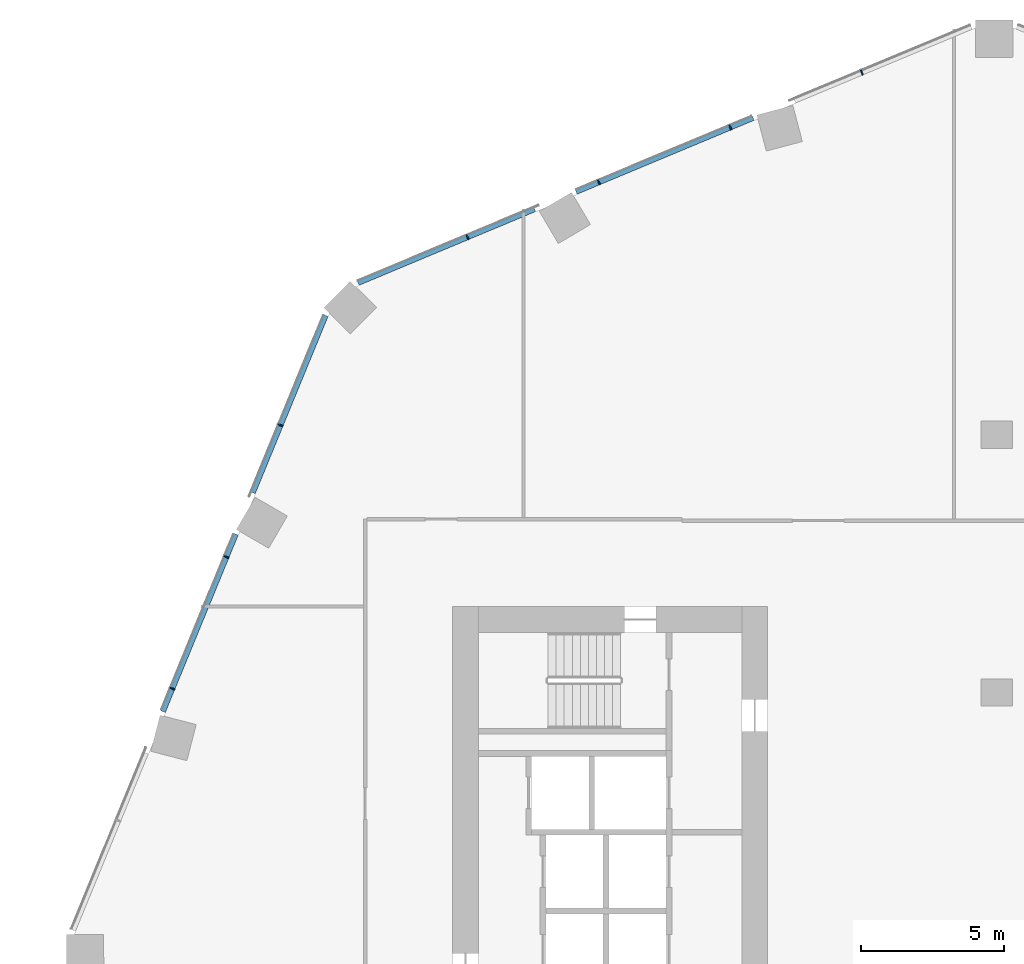
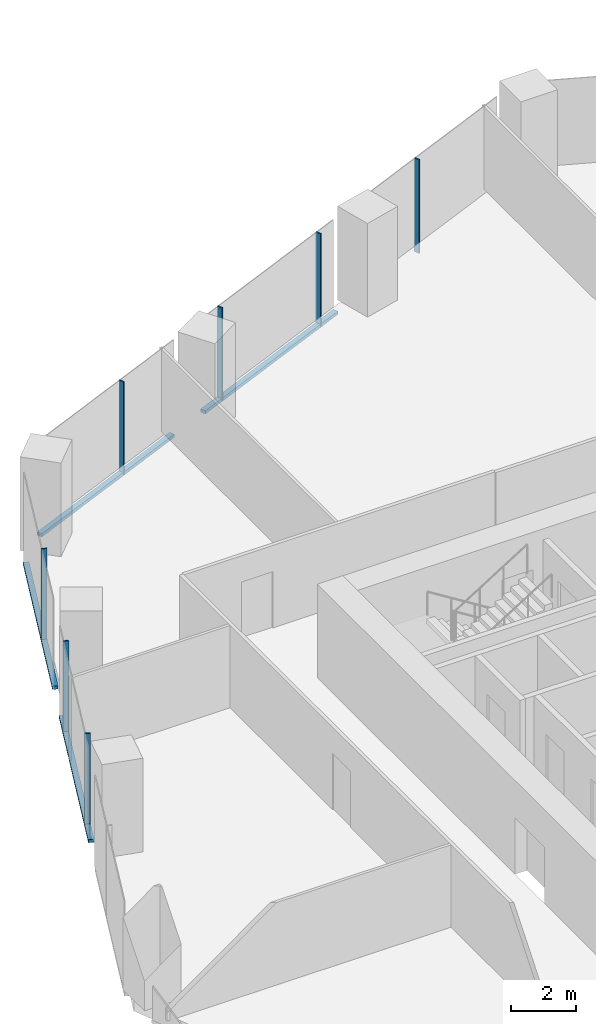
# One storey, part 12 of 34: 11 members, 2 elements without a shape of their own.
"""IFC4 building model written with IfcOpenShell, lengths in metres."""

from ifc_helpers import new_model, si_unit, direction, frame, origin, origin_2d, place, context, subcontext, project, spatial, rectangle, extrude, material, material_profile, profile_set, type_object, element, aggregate, save


model = new_model("IFC4")

# Units and contexts
model_context = context("Model", 3, precision=1e-05, world=origin(), true_north=direction((0.0, 1.0)))
body_context = subcontext(model_context, "Body", "Model", "MODEL_VIEW")
ifc_project = project(units=[si_unit("LENGTHUNIT", "METRE"), si_unit("AREAUNIT", "SQUARE_METRE"), si_unit("VOLUMEUNIT", "CUBIC_METRE"), si_unit("PLANEANGLEUNIT", "RADIAN"), si_unit("MASSUNIT", "GRAM", prefix="KILO")], contexts=[model_context])

# Site, building, storey
site_placement = place(None, origin())
site = spatial("IfcSite", under=ifc_project, at=site_placement, CompositionType="ELEMENT")
building_placement = place(site_placement, origin())
building = spatial("IfcBuilding", under=site, at=building_placement, Name="Orlundy Tower", CompositionType="ELEMENT")
storey_placement = place(building_placement, frame((0.0, 0.0, 105.699951171875)))
storey = spatial("IfcBuildingStorey", under=building, at=storey_placement, Name="L26", CompositionType="ELEMENT", Elevation=105.699951171875)

# Curtain wall, members
ifc_material_1 = material(Name="Aluminium bronze anodised", Category="aluminium")
curtain_wall_type = type_object("IfcCurtainWallType", Name="CW1 wall", PredefinedType="NOTDEFINED", material=ifc_material_1)
curtain_wall_1_placement = place(storey_placement, origin())
curtain_wall_1 = element("IfcCurtainWall", 1, at=curtain_wall_1_placement, inside=storey, type_object=curtain_wall_type, Name="CW1 run 014", PredefinedType="NOTDEFINED")
ifc_material_2 = material(Name="Aluminium bronze anodised", Category="aluminium")
ifc_material_profile_1 = material_profile(ifc_material_2, rectangle(XDim=0.179931640625, YDim=0.050048828125, at=origin_2d()), Name="CW1 mullion 50x180")
ifc_profile_set_1 = profile_set([ifc_material_profile_1], Name="Aluminium bronze anodised")
member_type_1 = type_object("IfcMemberType", Name="CW1 mullion 50x180", PredefinedType="MULLION", material=ifc_profile_set_1)
member_1_placement = place(storey_placement, frame((-28.777587890625, 9.135498046875, -0.39990234375), z_axis=(0.0, 0.0, 1.0), x_axis=(-0.924984462277, 0.380004927003, 0.0)))
member_1 = element("IfcMember", 2, at=member_1_placement, type_object=member_type_1, Name="CW1 mullion 36", PredefinedType="MULLION", context=body_context, shape_type="SweptSolid", body=[
    extrude(rectangle(XDim=0.179931640625, YDim=0.050048828125, at=origin_2d()), origin(), (0.0, 0.0, 1.0), 3.5),
])
member_2_placement = place(storey_placement, frame((-26.888916015625, 13.73291015625, -0.39990234375), z_axis=(0.0, 0.0, 1.0), x_axis=(-0.924984462277, 0.380004927003, 0.0)))
member_2 = element("IfcMember", 3, at=member_2_placement, type_object=member_type_1, Name="CW1 mullion 37", PredefinedType="MULLION", context=body_context, shape_type="SweptSolid", body=[
    extrude(rectangle(XDim=0.179931640625, YDim=0.050048828125, at=origin_2d()), origin(), (0.0, 0.0, 1.0), 3.5),
])
member_3_placement = place(storey_placement, frame((-25.0, 18.33056640625, -0.39990234375), z_axis=(0.0, 0.0, 1.0), x_axis=(-0.924984462277, 0.380004927003, 0.0)))
member_3 = element("IfcMember", 4, at=member_3_placement, type_object=member_type_1, Name="CW1 mullion 38", PredefinedType="MULLION", context=body_context, shape_type="SweptSolid", body=[
    extrude(rectangle(XDim=0.179931640625, YDim=0.050048828125, at=origin_2d()), origin(), (0.0, 0.0, 1.0), 3.5),
])

curtain_wall_2_placement = place(storey_placement, origin())
curtain_wall_2 = element("IfcCurtainWall", 5, at=curtain_wall_2_placement, inside=storey, type_object=curtain_wall_type, Name="CW1 run 015", PredefinedType="NOTDEFINED")
member_4_placement = place(storey_placement, frame((-18.475830078125, 24.892578125, -0.39990234375), z_axis=(0.0, 0.0, 1.0), x_axis=(-0.385375204433, 0.922759964351, 0.0)))
member_4 = element("IfcMember", 6, at=member_4_placement, type_object=member_type_1, Name="CW1 mullion 40", PredefinedType="MULLION", context=body_context, shape_type="SweptSolid", body=[
    extrude(rectangle(XDim=0.179931640625, YDim=0.050048828125, at=origin_2d()), origin(), (0.0, 0.0, 1.0), 3.5),
])
member_5_placement = place(storey_placement, frame((-13.88916015625, 26.808349609375, -0.39990234375), z_axis=(0.0, 0.0, 1.0), x_axis=(-0.385375204433, 0.922759964351, 0.0)))
member_5 = element("IfcMember", 7, at=member_5_placement, type_object=member_type_1, Name="CW1 mullion 41", PredefinedType="MULLION", context=body_context, shape_type="SweptSolid", body=[
    extrude(rectangle(XDim=0.179931640625, YDim=0.050048828125, at=origin_2d()), origin(), (0.0, 0.0, 1.0), 3.5),
])
member_6_placement = place(storey_placement, frame((-9.30224609375, 28.723876953125, -0.39990234375), z_axis=(0.0, 0.0, 1.0), x_axis=(-0.385375204433, 0.922759964351, 0.0)))
member_6 = element("IfcMember", 8, at=member_6_placement, type_object=member_type_1, Name="CW1 mullion 42", PredefinedType="MULLION", context=body_context, shape_type="SweptSolid", body=[
    extrude(rectangle(XDim=0.179931640625, YDim=0.050048828125, at=origin_2d()), origin(), (0.0, 0.0, 1.0), 3.5),
])
member_7_placement = place(storey_placement, frame((-4.715576171875, 30.639404296875, -0.39990234375), z_axis=(0.0, 0.0, 1.0), x_axis=(-0.385375204433, 0.922759964351, 0.0)))
member_7 = element("IfcMember", 9, at=member_7_placement, type_object=member_type_1, Name="CW1 mullion 43", PredefinedType="MULLION", context=body_context, shape_type="SweptSolid", body=[
    extrude(rectangle(XDim=0.179931640625, YDim=0.050048828125, at=origin_2d()), origin(), (0.0, 0.0, 1.0), 3.5),
])

# Member
ifc_material_3 = material(Name="Aluminium bronze anodised", Category="aluminium")
ifc_material_profile_2 = material_profile(ifc_material_3, rectangle(XDim=0.179931640625, YDim=0.1201171875, at=origin_2d()), Name="CW1 transom 180x120")
ifc_profile_set_2 = profile_set([ifc_material_profile_2], Name="Aluminium bronze anodised")
member_type_2 = type_object("IfcMemberType", Name="CW1 transom 180x120", PredefinedType="USERDEFINED", material=ifc_profile_set_2)
member_8_placement = place(storey_placement, frame((-29.105224609375, 8.338134765625, -0.33984375), z_axis=(0.380001321927, 0.924985943317, 0.0), x_axis=(-0.924985943317, 0.380001321927, 0.0)))
member_8 = element("IfcMember", 10, at=member_8_placement, type_object=member_type_2, Name="CW1 transom", ObjectType="TRANSOM", PredefinedType="USERDEFINED", context=body_context, shape_type="SweptSolid", body=[
    extrude(rectangle(XDim=0.179931640625, YDim=0.1201171875, at=origin_2d()), origin(), (0.0, 0.0, 1.0), 6.694580078125),
])

member_9_placement = place(storey_placement, frame((-25.9677734375, 15.974853515625, -0.33984375), z_axis=(0.380002508853, 0.924985455705, 0.0), x_axis=(-0.924985455705, 0.380002508853, 0.0)))
member_9 = element("IfcMember", 11, at=member_9_placement, type_object=member_type_2, Name="CW1 transom", ObjectType="TRANSOM", PredefinedType="USERDEFINED", context=body_context, shape_type="SweptSolid", body=[
    extrude(rectangle(XDim=0.179931640625, YDim=0.1201171875, at=origin_2d()), origin(), (0.0, 0.0, 1.0), 6.688720703125),
])

aggregate(curtain_wall_1, [member_1, member_2, member_3, member_8, member_9])

member_10_placement = place(storey_placement, frame((-22.2978515625, 23.29638671875, -0.33984375), z_axis=(0.922756794444, 0.385382794514, 0.0), x_axis=(-0.385382794514, 0.922756794444, 0.0)))
member_10 = element("IfcMember", 12, at=member_10_placement, type_object=member_type_2, Name="CW1 transom", ObjectType="TRANSOM", PredefinedType="USERDEFINED", context=body_context, shape_type="SweptSolid", body=[
    extrude(rectangle(XDim=0.179931640625, YDim=0.1201171875, at=origin_2d()), origin(), (0.0, 0.0, 1.0), 6.685302734375),
])

member_11_placement = place(storey_placement, frame((-14.6845703125, 26.47607421875, -0.33984375), z_axis=(0.922764802462, 0.385363619635, 0.0), x_axis=(-0.385363619635, 0.922764802462, 0.0)))
member_11 = element("IfcMember", 13, at=member_11_placement, type_object=member_type_2, Name="CW1 transom", ObjectType="TRANSOM", PredefinedType="USERDEFINED", context=body_context, shape_type="SweptSolid", body=[
    extrude(rectangle(XDim=0.179931640625, YDim=0.1201171875, at=origin_2d()), origin(), (0.0, 0.0, 1.0), 6.694580078125),
])

aggregate(curtain_wall_2, [member_4, member_5, member_6, member_7, member_10, member_11])

save(model, "model.ifc")
